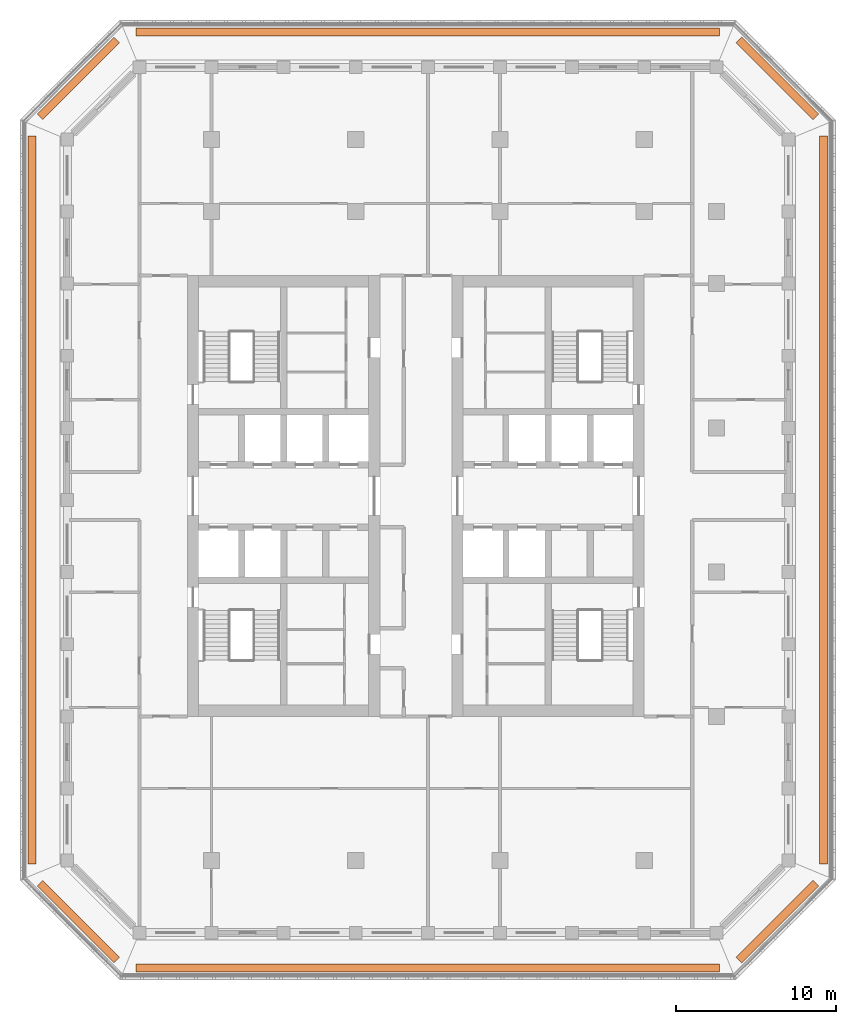
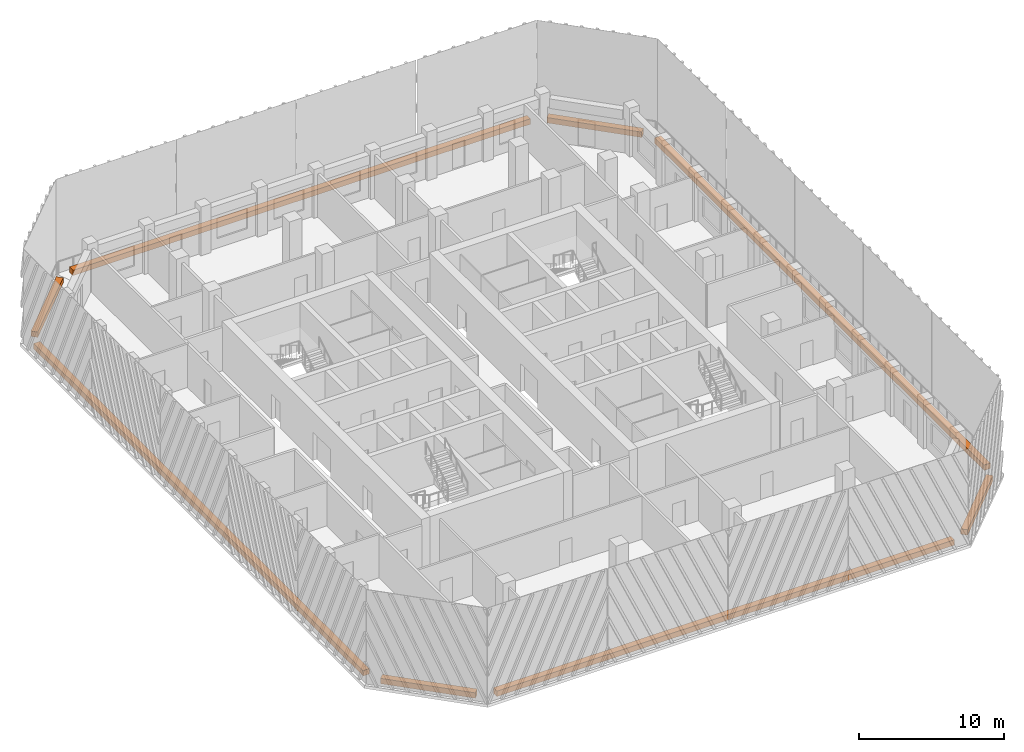
# One storey, part 17 of 17: 8 proxies.
"""IFC4 building model written with IfcOpenShell, lengths in metres."""

from ifc_helpers import new_model, si_unit, direction, frame, origin, origin_2d, place, context, subcontext, project, spatial, rectangle, extrude, material, type_object, element, save


model = new_model("IFC4")

# Units and contexts
model_context = context("Model", 3, precision=1e-05, world=origin(), true_north=direction((0.0, 1.0)))
body_context = subcontext(model_context, "Body", "Model", "MODEL_VIEW")
ifc_project = project(units=[si_unit("LENGTHUNIT", "METRE"), si_unit("AREAUNIT", "SQUARE_METRE"), si_unit("VOLUMEUNIT", "CUBIC_METRE"), si_unit("PLANEANGLEUNIT", "RADIAN"), si_unit("MASSUNIT", "GRAM", prefix="KILO")], contexts=[model_context])

# Site, building, storey
site_placement = place(None, origin())
site = spatial("IfcSite", under=ifc_project, at=site_placement, CompositionType="ELEMENT")
building_placement = place(site_placement, origin())
building = spatial("IfcBuilding", under=site, at=building_placement, Name="Corbel Stack Research Tower", CompositionType="ELEMENT")
storey_placement = place(building_placement, frame((0.0, 0.0, 248.0)))
storey = spatial("IfcBuildingStorey", under=building, at=storey_placement, Name="L56", CompositionType="ELEMENT", Elevation=248.0)

# Proxies
ifc_material = material(Name="Concrete C45/55", Category="concrete")
building_element_proxy_type = type_object("IfcBuildingElementProxyType", Name="Planter box", PredefinedType="USERDEFINED", material=ifc_material)
proxy_1_placement = place(storey_placement, frame((4.5, -24.699951171875, 0.0), z_axis=(0.0, 0.0, 1.0), x_axis=(1.0, 0.0, 0.0)))
element("IfcBuildingElementProxy", 1, at=proxy_1_placement, inside=storey, type_object=building_element_proxy_type, Name="Planter L56 S", ObjectType="PLANTER", PredefinedType="USERDEFINED", context=body_context, shape_type="SweptSolid", body=[
    extrude(rectangle(XDim=36.41064453125, YDim=0.5, at=origin_2d()), origin(), (0.0, 0.0, 1.0), 0.449951171875),
])
proxy_2_placement = place(storey_placement, frame((26.3056640625, -21.8056640625, 0.0), z_axis=(0.0, 0.0, 1.0), x_axis=(0.707106781187, 0.707106781187, 0.0)))
element("IfcBuildingElementProxy", 2, at=proxy_2_placement, inside=storey, type_object=building_element_proxy_type, Name="Planter L56 SE", ObjectType="PLANTER", PredefinedType="USERDEFINED", context=body_context, shape_type="SweptSolid", body=[
    extrude(rectangle(XDim=6.774658203125, YDim=0.5, at=origin_2d()), origin(), (0.0, 0.0, 1.0), 0.449951171875),
])
proxy_3_placement = place(storey_placement, frame((29.199951171875, 4.5, 0.0), z_axis=(0.0, 0.0, 1.0), x_axis=(0.0, 1.0, 0.0)))
element("IfcBuildingElementProxy", 3, at=proxy_3_placement, inside=storey, type_object=building_element_proxy_type, Name="Planter L56 E", ObjectType="PLANTER", PredefinedType="USERDEFINED", context=body_context, shape_type="SweptSolid", body=[
    extrude(rectangle(XDim=45.41064453125, YDim=0.5, at=origin_2d()), origin(), (0.0, 0.0, 1.0), 0.449951171875),
])
proxy_4_placement = place(storey_placement, frame((26.3056640625, 30.8056640625, 0.0), z_axis=(0.0, 0.0, 1.0), x_axis=(-0.707106781187, 0.707106781187, 0.0)))
element("IfcBuildingElementProxy", 4, at=proxy_4_placement, inside=storey, type_object=building_element_proxy_type, Name="Planter L56 NE", ObjectType="PLANTER", PredefinedType="USERDEFINED", context=body_context, shape_type="SweptSolid", body=[
    extrude(rectangle(XDim=6.774658203125, YDim=0.5, at=origin_2d()), origin(), (0.0, 0.0, 1.0), 0.449951171875),
])
proxy_5_placement = place(storey_placement, frame((4.5, 33.699951171875, 0.0), z_axis=(0.0, 0.0, 1.0), x_axis=(-1.0, 0.0, 0.0)))
element("IfcBuildingElementProxy", 5, at=proxy_5_placement, inside=storey, type_object=building_element_proxy_type, Name="Planter L56 N", ObjectType="PLANTER", PredefinedType="USERDEFINED", context=body_context, shape_type="SweptSolid", body=[
    extrude(rectangle(XDim=36.41064453125, YDim=0.5, at=origin_2d()), origin(), (0.0, 0.0, 1.0), 0.449951171875),
])
proxy_6_placement = place(storey_placement, frame((-17.3056640625, 30.8056640625, 0.0), z_axis=(0.0, 0.0, 1.0), x_axis=(-0.707106781187, -0.707106781187, 0.0)))
element("IfcBuildingElementProxy", 6, at=proxy_6_placement, inside=storey, type_object=building_element_proxy_type, Name="Planter L56 NW", ObjectType="PLANTER", PredefinedType="USERDEFINED", context=body_context, shape_type="SweptSolid", body=[
    extrude(rectangle(XDim=6.774658203125, YDim=0.5, at=origin_2d()), origin(), (0.0, 0.0, 1.0), 0.449951171875),
])
proxy_7_placement = place(storey_placement, frame((-20.199951171875, 4.5, 0.0), z_axis=(0.0, 0.0, 1.0), x_axis=(0.0, -1.0, 0.0)))
element("IfcBuildingElementProxy", 7, at=proxy_7_placement, inside=storey, type_object=building_element_proxy_type, Name="Planter L56 W", ObjectType="PLANTER", PredefinedType="USERDEFINED", context=body_context, shape_type="SweptSolid", body=[
    extrude(rectangle(XDim=45.41064453125, YDim=0.5, at=origin_2d()), origin(), (0.0, 0.0, 1.0), 0.449951171875),
])
proxy_8_placement = place(storey_placement, frame((-17.3056640625, -21.8056640625, 0.0), z_axis=(0.0, 0.0, 1.0), x_axis=(0.707106781187, -0.707106781187, 0.0)))
element("IfcBuildingElementProxy", 8, at=proxy_8_placement, inside=storey, type_object=building_element_proxy_type, Name="Planter L56 SW", ObjectType="PLANTER", PredefinedType="USERDEFINED", context=body_context, shape_type="SweptSolid", body=[
    extrude(rectangle(XDim=6.774658203125, YDim=0.5, at=origin_2d()), origin(), (0.0, 0.0, 1.0), 0.449951171875),
])

save(model, "model.ifc")
